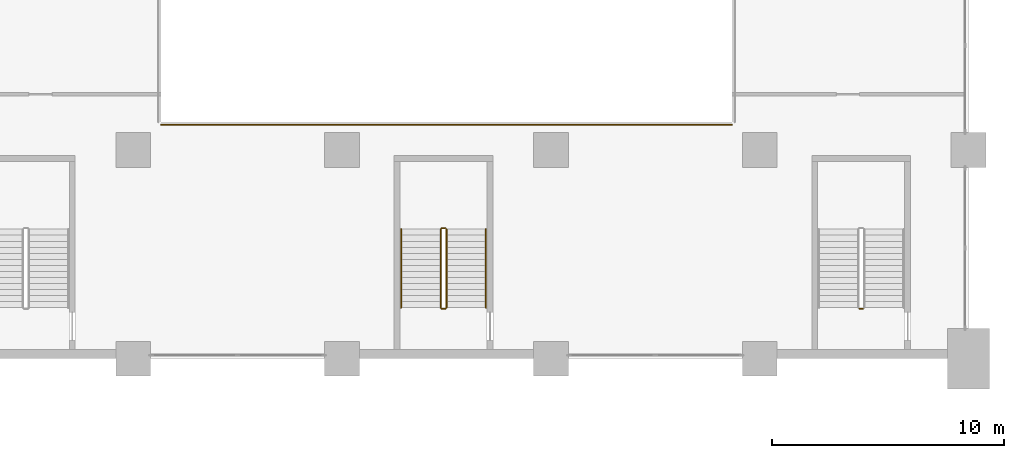
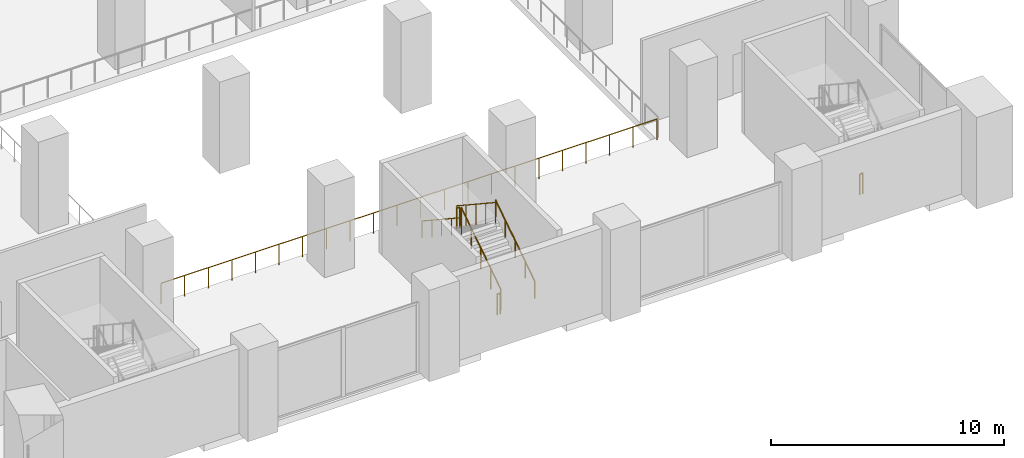
# One storey, part 46 of 49: 8 railings.
"""IFC4 building model written with IfcOpenShell, lengths in metres."""

import ifcopenshell
import ifcopenshell.guid

model = None  # the IFC model being written
_history = None  # IfcOwnerHistory: only IFC2X3 demands one
_inside = {}  # id of a spatial element -> (the spatial element, [elements in it])
_under = {}  # id of a project, library or spatial element -> (it, [spatial elements below it])
_declared = {}  # id of a project -> (the project, [libraries it declares])
_typed = {}  # id of a type object -> (the type object, [elements of that type])
_made_of = {}  # id of a material, layer set ... -> (it, [elements and type objects made of it])


def new_model(schema):
    """Start an empty IFC model of exactly this schema.

    Asked for "IFC4X3", IfcOpenShell would pick the latest addendum, in which some entities
    have other attributes; the version numbers below select the first issue.
    IFC2X3 requires an IfcOwnerHistory on every rooted entity: one is made here for all.
    """
    global model, _history
    if schema == "IFC4X3":
        model = ifcopenshell.file(schema_version=(4, 3, 0, 0))
    else:
        model = ifcopenshell.file(schema=schema)
    _inside.clear()
    _under.clear()
    _declared.clear()
    _typed.clear()
    _made_of.clear()
    _history = None
    if model.schema == "IFC2X3":
        org = make("IfcOrganization", Name="unknown")
        user = make(
            "IfcPersonAndOrganization",
            ThePerson=make("IfcPerson", FamilyName="unknown"),
            TheOrganization=org,
        )
        app = make(
            "IfcApplication",
            ApplicationDeveloper=org,
            Version="unknown",
            ApplicationFullName="unknown",
            ApplicationIdentifier="unknown",
        )
        _history = make(
            "IfcOwnerHistory",
            OwningUser=user,
            OwningApplication=app,
            ChangeAction="ADDED",
            CreationDate=0,
        )
    return model


def make(cls, **values):
    """One entity of the class cls with the attributes given. An attribute that is None is left unset."""
    return model.create_entity(
        cls, **{name: value for name, value in values.items() if value is not None}
    )


def rooted(cls, **values):
    """An entity with a GlobalId (a new one), such as an element, a storey or a relation."""
    return make(cls, GlobalId=ifcopenshell.guid.new(), OwnerHistory=_history, **values)


def si_unit(unit_type, name, prefix=None):
    """IfcSIUnit, for example si_unit("LENGTHUNIT", "METRE", prefix="MILLI")."""
    return make("IfcSIUnit", UnitType=unit_type, Prefix=prefix, Name=name)


def assignment(units):
    """IfcUnitAssignment: the units of a project."""
    return None if units is None else make("IfcUnitAssignment", Units=units)


def point(xyz):
    """IfcCartesianPoint."""
    return None if xyz is None else make("IfcCartesianPoint", Coordinates=xyz)


def direction(xyz):
    """IfcDirection."""
    return None if xyz is None else make("IfcDirection", DirectionRatios=xyz)


def frame(location, z_axis=None, x_axis=None):
    """IfcAxis2Placement3D, a coordinate frame: its origin and axes. An axis left out is left unset."""
    return make(
        "IfcAxis2Placement3D",
        Location=point(location),
        Axis=direction(z_axis),
        RefDirection=direction(x_axis),
    )


def frame_2d(location, x_axis=None):
    """IfcAxis2Placement2D, a coordinate frame in the plane: its origin and x axis."""
    return make(
        "IfcAxis2Placement2D", Location=point(location), RefDirection=direction(x_axis)
    )


def origin():
    """The frame at (0, 0, 0) with its axes left unset."""
    return frame((0.0, 0.0, 0.0))


def origin_2d():
    """The frame at (0, 0) in the plane with its x axis left unset."""
    return frame_2d((0.0, 0.0))


def place(relative_to, where):
    """IfcLocalPlacement: puts the frame where relative to a parent placement (None: the world)."""
    return make(
        "IfcLocalPlacement", PlacementRelTo=relative_to, RelativePlacement=where
    )


def context(
    kind, dimensions, precision=None, world=None, true_north=None, identifier=None
):
    """IfcGeometricRepresentationContext, for example the 3D "Model" context."""
    return make(
        "IfcGeometricRepresentationContext",
        ContextIdentifier=identifier,
        ContextType=kind,
        CoordinateSpaceDimension=dimensions,
        Precision=precision,
        WorldCoordinateSystem=world,
        TrueNorth=true_north,
    )


def subcontext(parent, identifier, kind, view, scale=None):
    """IfcGeometricRepresentationSubContext, for example "Body" below "Model"."""
    return make(
        "IfcGeometricRepresentationSubContext",
        ContextIdentifier=identifier,
        ContextType=kind,
        ParentContext=parent,
        TargetScale=scale,
        TargetView=view,
    )


def project(units=None, contexts=None):
    """IfcProject with its units and contexts."""
    return rooted(
        "IfcProject",
        Name="project",
        RepresentationContexts=contexts,
        UnitsInContext=assignment(units),
    )


def spatial(cls, under=None, at=None, **own):
    """A site, building, storey or space (cls), placed at a placement, below another one or the project."""
    s = rooted(cls, ObjectPlacement=at, **own)
    if under is not None:
        _under.setdefault(under.id(), (under, []))[1].append(s)
    return s


def profile(cls, at=None, kind="AREA", **sizes):
    """A parametric profile (cls). Its sizes go by their IFC names, for example OverallWidth=200.0."""
    return make(cls, ProfileType=kind, Position=at, **sizes)


def circle(**sizes):
    """IfcCircleProfileDef."""
    return profile("IfcCircleProfileDef", **sizes)


def extrude(swept, where, along, depth):
    """IfcExtrudedAreaSolid: the profile swept, set in the frame where, extruded along a direction by depth."""
    return make(
        "IfcExtrudedAreaSolid",
        SweptArea=swept,
        Position=where,
        ExtrudedDirection=direction(along),
        Depth=depth,
    )


def shape(context_of_items, identifier, shape_type, items):
    """IfcShapeRepresentation: the items that make up one representation, for example the "Body"."""
    return make(
        "IfcShapeRepresentation",
        ContextOfItems=context_of_items,
        RepresentationIdentifier=identifier,
        RepresentationType=shape_type,
        Items=items,
    )


def material(Name=None, Category=None):
    """IfcMaterial."""
    return make("IfcMaterial", Name=Name, Category=Category)


def made_of(thing, what):
    """Note that an element or type object is made of a material, layer set ...; save() writes the relation."""
    if what is not None:
        _made_of.setdefault(what.id(), (what, []))[1].append(thing)
    return thing


def type_object(cls, material=None, **own):
    """A type object (cls), such as IfcWallType, which elements share."""
    return made_of(rooted(cls, **own), material)


def element(
    cls,
    number,
    at=None,
    inside=None,
    cuts=None,
    type_object=None,
    material=None,
    context=None,
    identifier="Body",
    shape_type=None,
    held_by="IfcProductDefinitionShape",
    body=None,
    shapes=None,
    **own,
):
    """One element of the class cls, such as IfcWall. Its Tag is "e" and its number.

    at: its placement. inside: the storey or other place that contains it. cuts: it is an
    opening in that element (IfcRelVoidsElement). A single representation is given by context,
    identifier, shape_type and body (its items); several are given by shapes. held_by: the class
    of the entity that holds the representations. save() writes the other relations.
    """
    e = rooted(cls, Tag="e%d" % number, ObjectPlacement=at, **own)
    if body is not None:
        shapes = [shape(context, identifier, shape_type, body)]
    if shapes is not None:
        e.Representation = make(held_by, Representations=shapes)
    if inside is not None:
        _inside.setdefault(inside.id(), (inside, []))[1].append(e)
    if cuts is not None:
        rooted(
            "IfcRelVoidsElement", RelatingBuildingElement=cuts, RelatedOpeningElement=e
        )
    if type_object is not None:
        _typed.setdefault(type_object.id(), (type_object, []))[1].append(e)
    return made_of(e, material)


def aggregate(whole, parts):
    """IfcRelAggregates: a whole, such as a stair, and the parts it consists of."""
    return rooted("IfcRelAggregates", RelatingObject=whole, RelatedObjects=parts)


def save(model, path):
    """Write the relations noted so far, then the file.

    IfcRelAggregates (storeys below a building ...), IfcRelContainedInSpatialStructure (elements
    in a storey), IfcRelDefinesByType, IfcRelAssociatesMaterial and IfcRelDeclares: one each for
    every whole, place, type object, material and project.
    """
    for whole, parts in _under.values():
        aggregate(whole, parts)
    for where, things in _inside.values():
        rooted(
            "IfcRelContainedInSpatialStructure",
            RelatedElements=things,
            RelatingStructure=where,
        )
    for kind, things in _typed.values():
        rooted("IfcRelDefinesByType", RelatedObjects=things, RelatingType=kind)
    for what, things in _made_of.values():
        rooted("IfcRelAssociatesMaterial", RelatedObjects=things, RelatingMaterial=what)
    for by, libraries in _declared.values():
        rooted("IfcRelDeclares", RelatingContext=by, RelatedDefinitions=libraries)
    model.write(path)


model = new_model("IFC4")

# Units and contexts
model_context = context("Model", 3, precision=1e-05, world=origin(), true_north=direction((0.0, 1.0)))
body_context = subcontext(model_context, "Body", "Model", "MODEL_VIEW")
ifc_project = project(units=[si_unit("LENGTHUNIT", "METRE"), si_unit("AREAUNIT", "SQUARE_METRE"), si_unit("VOLUMEUNIT", "CUBIC_METRE"), si_unit("PLANEANGLEUNIT", "RADIAN"), si_unit("MASSUNIT", "GRAM", prefix="KILO")], contexts=[model_context])

# Site, building, storey
site_placement = place(None, origin())
site = spatial("IfcSite", under=ifc_project, at=site_placement, CompositionType="ELEMENT")
building_placement = place(site_placement, origin())
building = spatial("IfcBuilding", under=site, at=building_placement, Name="Hunhe Ridgeline Campus", CompositionType="ELEMENT")
storey_placement = place(building_placement, frame((0.0, 0.0, 21.60009765625)))
storey = spatial("IfcBuildingStorey", under=building, at=storey_placement, Name="L04", CompositionType="ELEMENT", Elevation=21.60009765625)

# Railings
ifc_material_1 = material(Name="Glass and steel", Category="steel")
railing_type_1 = type_object("IfcRailingType", Name="Atrium glass guard 1100", PredefinedType="GUARDRAIL", material=ifc_material_1)
railing_1_placement = place(storey_placement, frame((55.199951171875, 28.080078125, 0.0)))
element("IfcRailing", 1, at=railing_1_placement, inside=storey, type_object=railing_type_1, Name="L04 atrium guard", PredefinedType="GUARDRAIL", context=body_context, shape_type="SweptSolid", body=[
    extrude(circle(Radius=0.02392578125, at=origin_2d()), frame((0.0, 0.0, 1.076171875), z_axis=(1.0, 0.0, 0.0), x_axis=(0.0, 1.0, 0.0)), (0.0, 0.0, 1.0), 24.60009765625),
    extrude(circle(Radius=0.02099609375, at=origin_2d()), origin(), (0.0, 0.0, 1.0), 1.052001953125),
    extrude(circle(Radius=0.02099609375, at=origin_2d()), frame((1.17138671875, 0.0, 0.0)), (0.0, 0.0, 1.0), 1.052001953125),
    extrude(circle(Radius=0.02099609375, at=origin_2d()), frame((2.3427734375, 0.0, 0.0)), (0.0, 0.0, 1.0), 1.052001953125),
    extrude(circle(Radius=0.02099609375, at=origin_2d()), frame((3.514404296875, 0.0, 0.0)), (0.0, 0.0, 1.0), 1.052001953125),
    extrude(circle(Radius=0.02099609375, at=origin_2d()), frame((4.685791015625, 0.0, 0.0)), (0.0, 0.0, 1.0), 1.052001953125),
    extrude(circle(Radius=0.02099609375, at=origin_2d()), frame((5.857177734375, 0.0, 0.0)), (0.0, 0.0, 1.0), 1.052001953125),
    extrude(circle(Radius=0.02099609375, at=origin_2d()), frame((7.028564453125, 0.0, 0.0)), (0.0, 0.0, 1.0), 1.052001953125),
    extrude(circle(Radius=0.02099609375, at=origin_2d()), frame((8.199951171875, 0.0, 0.0)), (0.0, 0.0, 1.0), 1.052001953125),
    extrude(circle(Radius=0.02099609375, at=origin_2d()), frame((9.37158203125, 0.0, 0.0)), (0.0, 0.0, 1.0), 1.052001953125),
    extrude(circle(Radius=0.02099609375, at=origin_2d()), frame((10.54296875, 0.0, 0.0)), (0.0, 0.0, 1.0), 1.052001953125),
    extrude(circle(Radius=0.02099609375, at=origin_2d()), frame((11.71435546875, 0.0, 0.0)), (0.0, 0.0, 1.0), 1.052001953125),
    extrude(circle(Radius=0.02099609375, at=origin_2d()), frame((12.8857421875, 0.0, 0.0)), (0.0, 0.0, 1.0), 1.052001953125),
    extrude(circle(Radius=0.02099609375, at=origin_2d()), frame((14.05712890625, 0.0, 0.0)), (0.0, 0.0, 1.0), 1.052001953125),
    extrude(circle(Radius=0.02099609375, at=origin_2d()), frame((15.228515625, 0.0, 0.0)), (0.0, 0.0, 1.0), 1.052001953125),
    extrude(circle(Radius=0.02099609375, at=origin_2d()), frame((16.400146484375, 0.0, 0.0)), (0.0, 0.0, 1.0), 1.052001953125),
    extrude(circle(Radius=0.02099609375, at=origin_2d()), frame((17.571533203125, 0.0, 0.0)), (0.0, 0.0, 1.0), 1.052001953125),
    extrude(circle(Radius=0.02099609375, at=origin_2d()), frame((18.742919921875, 0.0, 0.0)), (0.0, 0.0, 1.0), 1.052001953125),
    extrude(circle(Radius=0.02099609375, at=origin_2d()), frame((19.914306640625, 0.0, 0.0)), (0.0, 0.0, 1.0), 1.052001953125),
    extrude(circle(Radius=0.02099609375, at=origin_2d()), frame((21.085693359375, 0.0, 0.0)), (0.0, 0.0, 1.0), 1.052001953125),
    extrude(circle(Radius=0.02099609375, at=origin_2d()), frame((22.25732421875, 0.0, 0.0)), (0.0, 0.0, 1.0), 1.052001953125),
    extrude(circle(Radius=0.02099609375, at=origin_2d()), frame((23.4287109375, 0.0, 0.0)), (0.0, 0.0, 1.0), 1.052001953125),
    extrude(circle(Radius=0.02099609375, at=origin_2d()), frame((24.60009765625, 0.0, 0.0)), (0.0, 0.0, 1.0), 1.052001953125),
])
ifc_material_2 = material(Name="Steel Q235", Category="steel")
railing_type_2 = type_object("IfcRailingType", Name="Podium stair guard 1100", PredefinedType="GUARDRAIL", material=ifc_material_2)
railing_2_placement = place(storey_placement, frame((67.5, 20.199951171875, 0.17138671875)))
element("IfcRailing", 2, at=railing_2_placement, inside=storey, type_object=railing_type_2, Name="L04 PS2 stair guard 1", PredefinedType="GUARDRAIL", context=body_context, shape_type="SweptSolid", body=[
    extrude(circle(Radius=0.02392578125, at=origin_2d()), frame((0.0, 0.0, 1.076171875), z_axis=(0.0, 0.834878220475, 0.550434698194), x_axis=(-1.0, 0.0, 0.0)), (0.0, 0.0, 1.0), 4.048583984375),
    extrude(circle(Radius=0.02099609375, at=origin_2d()), origin(), (0.0, 0.0, 1.0), 1.052001953125),
    extrude(circle(Radius=0.02099609375, at=origin_2d()), frame((0.0, 0.844970703125, 0.55712890625)), (0.0, 0.0, 1.0), 1.052001953125),
    extrude(circle(Radius=0.02099609375, at=origin_2d()), frame((0.0, 1.68994140625, 1.1142578125)), (0.0, 0.0, 1.0), 1.052001953125),
    extrude(circle(Radius=0.02099609375, at=origin_2d()), frame((0.0, 2.53515625, 1.67138671875)), (0.0, 0.0, 1.0), 1.052001953125),
    extrude(circle(Radius=0.02099609375, at=origin_2d()), frame((0.0, 3.380126953125, 2.228515625)), (0.0, 0.0, 1.0), 1.052001953125),
])
railing_3_placement = place(storey_placement, frame((67.449951171875, 23.6298828125, 2.39990234375)))
element("IfcRailing", 3, at=railing_3_placement, inside=storey, type_object=railing_type_2, Name="L04 PS2 stair guard 2", PredefinedType="GUARDRAIL", context=body_context, shape_type="SweptSolid", body=[
    extrude(circle(Radius=0.02392578125, at=origin_2d()), frame((0.0, 0.0, 1.076171875), z_axis=(-1.0, 0.0, 0.0), x_axis=(0.0, -1.0, 0.0)), (0.0, 0.0, 1.0), 0.14990234375),
    extrude(circle(Radius=0.02099609375, at=origin_2d()), origin(), (0.0, 0.0, 1.0), 1.052001953125),
    extrude(circle(Radius=0.02099609375, at=origin_2d()), frame((-0.14990234375, 0.0, 0.0)), (0.0, 0.0, 1.0), 1.052001953125),
])
railing_4_placement = place(storey_placement, frame((67.25, 23.580078125, 2.5712890625)))
element("IfcRailing", 4, at=railing_4_placement, inside=storey, type_object=railing_type_2, Name="L04 PS2 stair guard 3", PredefinedType="GUARDRAIL", context=body_context, shape_type="SweptSolid", body=[
    extrude(circle(Radius=0.02392578125, at=origin_2d()), frame((0.0, 0.0, 1.076171875), z_axis=(0.0, -0.834878220475, 0.550434698194), x_axis=(1.0, 0.0, 0.0)), (0.0, 0.0, 1.0), 4.048583984375),
    extrude(circle(Radius=0.02099609375, at=origin_2d()), origin(), (0.0, 0.0, 1.0), 1.052001953125),
    extrude(circle(Radius=0.02099609375, at=origin_2d()), frame((0.0, -0.844970703125, 0.55712890625)), (0.0, 0.0, 1.0), 1.052001953125),
    extrude(circle(Radius=0.02099609375, at=origin_2d()), frame((0.0, -1.68994140625, 1.1142578125)), (0.0, 0.0, 1.0), 1.052001953125),
    extrude(circle(Radius=0.02099609375, at=origin_2d()), frame((0.0, -2.53515625, 1.67138671875)), (0.0, 0.0, 1.0), 1.052001953125),
    extrude(circle(Radius=0.02099609375, at=origin_2d()), frame((0.0, -3.380126953125, 2.228515625)), (0.0, 0.0, 1.0), 1.052001953125),
])
for number, where, name in (
    (5, (67.449951171875, 20.14990234375, 0.0), "L04 PS2 stair guard 4"),
    (6, (85.449951171875, 20.14990234375, 0.0), "L04 PS3 stair guard 4"),
):
    element("IfcRailing", number, at=place(storey_placement, frame(where)), inside=storey, type_object=railing_type_2, Name=name, PredefinedType="GUARDRAIL", context=body_context, shape_type="SweptSolid", body=[
        extrude(circle(Radius=0.02392578125, at=origin_2d()), frame((0.0, 0.0, 1.076171875), z_axis=(-1.0, 0.0, 0.0), x_axis=(0.0, -1.0, 0.0)), (0.0, 0.0, 1.0), 0.14990234375),
        extrude(circle(Radius=0.02099609375, at=origin_2d()), origin(), (0.0, 0.0, 1.0), 1.052001953125),
        extrude(circle(Radius=0.02099609375, at=origin_2d()), frame((-0.14990234375, 0.0, 0.0)), (0.0, 0.0, 1.0), 1.052001953125),
    ])
railing_type_3 = type_object("IfcRailingType", Name="Podium stair handrail", PredefinedType="HANDRAIL", material=ifc_material_2)
railing_5_placement = place(storey_placement, frame((69.199951171875, 20.199951171875, 0.17138671875)))
element("IfcRailing", 7, at=railing_5_placement, inside=storey, type_object=railing_type_3, Name="L04 PS2 stair handrail 1", PredefinedType="HANDRAIL", context=body_context, shape_type="SweptSolid", body=[
    extrude(circle(Radius=0.02392578125, at=origin_2d()), frame((0.0, 0.0, 0.8759765625), z_axis=(0.0, 0.834878220475, 0.550434698194), x_axis=(-1.0, 0.0, 0.0)), (0.0, 0.0, 1.0), 4.048583984375),
    extrude(circle(Radius=0.02099609375, at=origin_2d()), origin(), (0.0, 0.0, 1.0), 0.851806640625),
    extrude(circle(Radius=0.02099609375, at=origin_2d()), frame((0.0, 0.844970703125, 0.55712890625)), (0.0, 0.0, 1.0), 0.851806640625),
    extrude(circle(Radius=0.02099609375, at=origin_2d()), frame((0.0, 1.68994140625, 1.1142578125)), (0.0, 0.0, 1.0), 0.851806640625),
    extrude(circle(Radius=0.02099609375, at=origin_2d()), frame((0.0, 2.53515625, 1.67138671875)), (0.0, 0.0, 1.0), 0.851806640625),
    extrude(circle(Radius=0.02099609375, at=origin_2d()), frame((0.0, 3.380126953125, 2.228515625)), (0.0, 0.0, 1.0), 0.851806640625),
])
railing_6_placement = place(storey_placement, frame((65.550048828125, 23.580078125, 2.5712890625)))
element("IfcRailing", 8, at=railing_6_placement, inside=storey, type_object=railing_type_3, Name="L04 PS2 stair handrail 2", PredefinedType="HANDRAIL", context=body_context, shape_type="SweptSolid", body=[
    extrude(circle(Radius=0.02392578125, at=origin_2d()), frame((0.0, 0.0, 0.8759765625), z_axis=(0.0, -0.834878220475, 0.550434698194), x_axis=(1.0, 0.0, 0.0)), (0.0, 0.0, 1.0), 4.048583984375),
    extrude(circle(Radius=0.02099609375, at=origin_2d()), origin(), (0.0, 0.0, 1.0), 0.851806640625),
    extrude(circle(Radius=0.02099609375, at=origin_2d()), frame((0.0, -0.844970703125, 0.55712890625)), (0.0, 0.0, 1.0), 0.851806640625),
    extrude(circle(Radius=0.02099609375, at=origin_2d()), frame((0.0, -1.68994140625, 1.1142578125)), (0.0, 0.0, 1.0), 0.851806640625),
    extrude(circle(Radius=0.02099609375, at=origin_2d()), frame((0.0, -2.53515625, 1.67138671875)), (0.0, 0.0, 1.0), 0.851806640625),
    extrude(circle(Radius=0.02099609375, at=origin_2d()), frame((0.0, -3.380126953125, 2.228515625)), (0.0, 0.0, 1.0), 0.851806640625),
])

save(model, "model.ifc")
